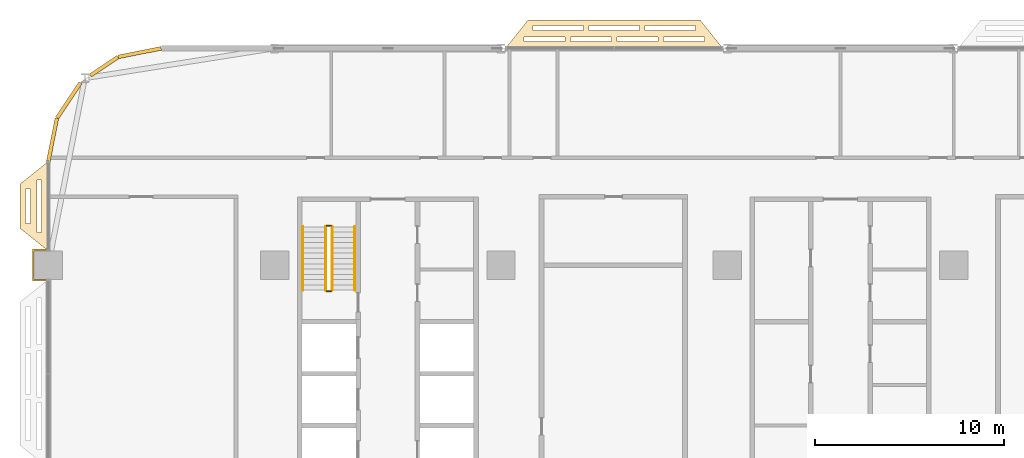
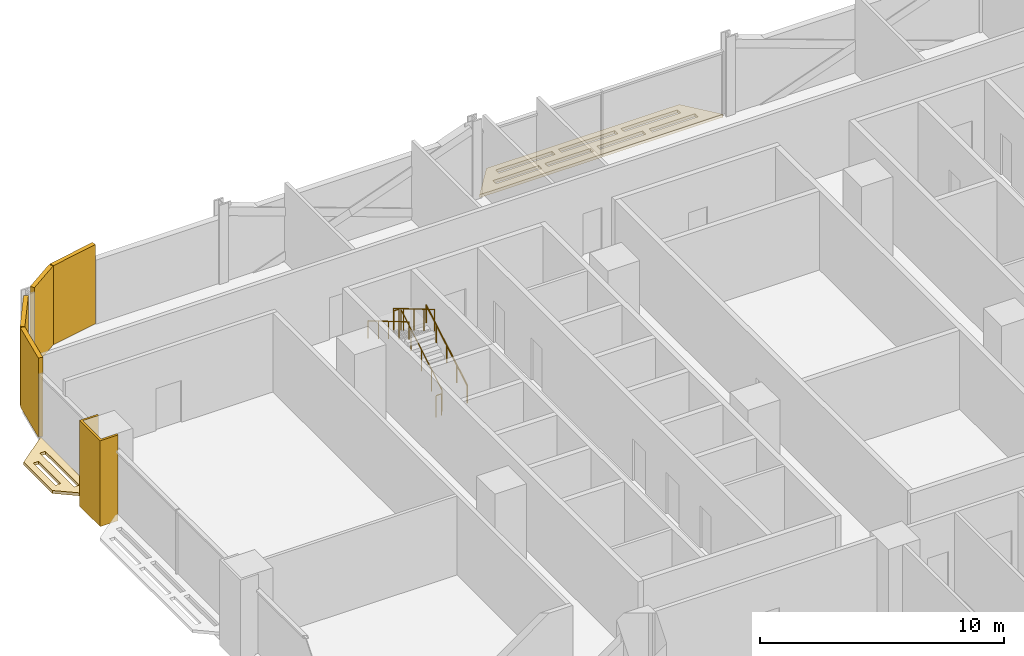
# One storey, part 26 of 29: 7 coverings, 6 railings.
"""IFC4 building model written with IfcOpenShell, lengths in metres."""

from ifc_helpers import new_model, si_unit, direction, frame, origin, origin_2d, place, context, subcontext, project, spatial, polyline, rectangle, circle, outline, extrude, material, layer, layer_set, type_object, element, save


model = new_model("IFC4")

# Units and contexts
model_context = context("Model", 3, precision=1e-05, world=origin(), true_north=direction((0.0, 1.0)))
body_context = subcontext(model_context, "Body", "Model", "MODEL_VIEW")
ifc_project = project(units=[si_unit("LENGTHUNIT", "METRE"), si_unit("AREAUNIT", "SQUARE_METRE"), si_unit("VOLUMEUNIT", "CUBIC_METRE"), si_unit("PLANEANGLEUNIT", "RADIAN"), si_unit("MASSUNIT", "GRAM", prefix="KILO")], contexts=[model_context])

# Site, building, storey
site_placement = place(None, origin())
site = spatial("IfcSite", under=ifc_project, at=site_placement, CompositionType="ELEMENT")
building_placement = place(site_placement, origin())
building = spatial("IfcBuilding", under=site, at=building_placement, Name="Mahtab Terrace Research Tower", CompositionType="ELEMENT")
storey_placement = place(building_placement, frame((0.0, 0.0, 67.5)))
storey = spatial("IfcBuildingStorey", under=building, at=storey_placement, Name="L15", CompositionType="ELEMENT", Elevation=67.5)

# Coverings
ifc_material_1 = material(Name="Black aluminium cladding panel", Category="aluminium")
ifc_layer_1 = layer(ifc_material_1, 0.199951171875)
ifc_layer_set_1 = layer_set([ifc_layer_1], Name="Black metal corner cladding 200")
covering_type_1 = type_object("IfcCoveringType", Name="Black metal corner cladding 200", PredefinedType="CLADDING", material=ifc_layer_set_1)
covering_1_placement = place(storey_placement, frame((-37.14794921875, 22.771484375, 0.0), z_axis=(0.0, 0.0, 1.0), x_axis=(-0.980760981187, -0.195212442692, 0.0)))
element("IfcCovering", 1, at=covering_1_placement, inside=storey, type_object=covering_type_1, Name="Corner cladding L15 11", PredefinedType="CLADDING", context=body_context, shape_type="SweptSolid", body=[
    extrude(rectangle(XDim=2.30126953125, YDim=0.199951171875, at=origin_2d()), origin(), (0.0, 0.0, 1.0), 3.9599609375),
])
covering_2_placement = place(storey_placement, frame((-39.0380859375, 22.047607421875, 0.0), z_axis=(0.0, 0.0, 1.0), x_axis=(-0.831655794326, -0.555291490808, 0.0)))
element("IfcCovering", 2, at=covering_2_placement, inside=storey, type_object=covering_type_1, Name="Corner cladding L15 12", PredefinedType="CLADDING", context=body_context, shape_type="SweptSolid", body=[
    extrude(rectangle(XDim=1.74462890625, YDim=0.199951171875, at=origin_2d()), origin(), (0.0, 0.0, 1.0), 3.9599609375),
])
covering_3_placement = place(storey_placement, frame((-40.911376953125, 20.2421875, 0.0), z_axis=(0.0, 0.0, 1.0), x_axis=(-0.555291490808, -0.831655794326, 0.0)))
element("IfcCovering", 3, at=covering_3_placement, inside=storey, type_object=covering_type_1, Name="Corner cladding L15 13", PredefinedType="CLADDING", context=body_context, shape_type="SweptSolid", body=[
    extrude(rectangle(XDim=2.235595703125, YDim=0.199951171875, at=origin_2d()), origin(), (0.0, 0.0, 1.0), 3.9599609375),
])
covering_4_placement = place(storey_placement, frame((-41.771484375, 18.14794921875, 0.0), z_axis=(0.0, 0.0, 1.0), x_axis=(-0.195212442692, -0.980760981187, 0.0)))
element("IfcCovering", 4, at=covering_4_placement, inside=storey, type_object=covering_type_1, Name="Corner cladding L15 14", PredefinedType="CLADDING", context=body_context, shape_type="SweptSolid", body=[
    extrude(rectangle(XDim=2.30126953125, YDim=0.199951171875, at=origin_2d()), origin(), (0.0, 0.0, 1.0), 3.9599609375),
])
ifc_material_2 = material(Name="Dark anodised aluminium cladding", Category="aluminium")
ifc_layer_2 = layer(ifc_material_2, 0.10009765625)
ifc_layer_set_2 = layer_set([ifc_layer_2], Name="Column casing 100")
covering_type_2 = type_object("IfcCoveringType", Name="Column casing 100", PredefinedType="CLADDING", material=ifc_layer_set_2)
covering_5_placement = place(storey_placement, frame((0.0, 0.0, -0.340087890625)))
element("IfcCovering", 5, at=covering_5_placement, inside=storey, type_object=covering_type_2, Name="Column casing RC-1C L15", PredefinedType="CLADDING", context=body_context, shape_type="SweptSolid", body=[
    extrude(outline(polyline([(-42.85009765625, 12.35009765625), (-42.0, 12.35009765625), (-42.0, 12.25), (-42.75, 12.25), (-42.75, 10.75), (-42.0, 10.75), (-42.0, 10.64990234375), (-42.85009765625, 10.64990234375), (-42.85009765625, 12.35009765625)])), origin(), (0.0, 0.0, 1.0), 4.300048828125),
])
ifc_material_3 = material(Name="Black anodised aluminium", Category="aluminium")
ifc_layer_3 = layer(ifc_material_3, 0.14990234375)
ifc_layer_set_3 = layer_set([ifc_layer_3], Name="Horizontal sunshade band")
covering_type_3 = type_object("IfcCoveringType", Name="Horizontal sunshade band", PredefinedType="CLADDING", material=ifc_layer_set_3)
covering_6_placement = place(storey_placement, frame((0.0, 0.0, -0.14990234375)))
element("IfcCovering", 6, at=covering_6_placement, inside=storey, type_object=covering_type_3, Name="Sunshade band L15 8", PredefinedType="CLADDING", context=body_context, shape_type="SweptSolid", body=[
    extrude(outline(polyline([(-6.238037109375, 23.0), (-17.761962890625, 23.0), (-16.56201171875, 24.5), (-7.43798828125, 24.5), (-6.238037109375, 23.0)]), holes=[polyline([(-7.218017578125, 23.35009765625), (-9.384033203125, 23.35009765625), (-9.384033203125, 23.60009765625), (-7.218017578125, 23.60009765625), (-7.218017578125, 23.35009765625)]), polyline([(-9.68408203125, 23.35009765625), (-11.85009765625, 23.35009765625), (-11.85009765625, 23.60009765625), (-9.68408203125, 23.60009765625), (-9.68408203125, 23.35009765625)]), polyline([(-12.14990234375, 23.35009765625), (-14.31591796875, 23.35009765625), (-14.31591796875, 23.60009765625), (-12.14990234375, 23.60009765625), (-12.14990234375, 23.35009765625)]), polyline([(-14.615966796875, 23.35009765625), (-16.781982421875, 23.35009765625), (-16.781982421875, 23.60009765625), (-14.615966796875, 23.60009765625), (-14.615966796875, 23.35009765625)]), polyline([(-7.697998046875, 23.949951171875), (-10.365966796875, 23.949951171875), (-10.365966796875, 24.199951171875), (-7.697998046875, 24.199951171875), (-7.697998046875, 23.949951171875)]), polyline([(-10.666015625, 23.949951171875), (-13.333984375, 23.949951171875), (-13.333984375, 24.199951171875), (-10.666015625, 24.199951171875), (-10.666015625, 23.949951171875)]), polyline([(-13.634033203125, 23.949951171875), (-16.302001953125, 23.949951171875), (-16.302001953125, 24.199951171875), (-13.634033203125, 24.199951171875), (-13.634033203125, 23.949951171875)])]), origin(), (0.0, 0.0, 1.0), 0.14990234375),
])
covering_7_placement = place(storey_placement, frame((0.0, 0.0, -0.14990234375)))
element("IfcCovering", 7, at=covering_7_placement, inside=storey, type_object=covering_type_3, Name="Sunshade band L15 15", PredefinedType="CLADDING", context=body_context, shape_type="SweptSolid", body=[
    extrude(outline(polyline([(-42.0, 17.0), (-42.0, 12.25), (-43.5, 13.449951171875), (-43.5, 15.800048828125), (-42.0, 17.0)]), holes=[polyline([(-42.35009765625, 16.02001953125), (-42.35009765625, 13.22998046875), (-42.60009765625, 13.22998046875), (-42.60009765625, 16.02001953125), (-42.35009765625, 16.02001953125)]), polyline([(-42.949951171875, 15.5400390625), (-42.949951171875, 13.7099609375), (-43.199951171875, 13.7099609375), (-43.199951171875, 15.5400390625), (-42.949951171875, 15.5400390625)])]), origin(), (0.0, 0.0, 1.0), 0.14990234375),
])

# Railings
ifc_material_4 = material(Name="Stainless steel AISI 304", Category="steel")
railing_type_1 = type_object("IfcRailingType", Name="Stair guard 1100", PredefinedType="GUARDRAIL", material=ifc_material_4)
railing_1_placement = place(storey_placement, frame((-26.949951171875, 10.175048828125, 0.165283203125)))
element("IfcRailing", 8, at=railing_1_placement, inside=storey, type_object=railing_type_1, Name="L15 ST1 stair guard 1", PredefinedType="GUARDRAIL", context=body_context, shape_type="SweptSolid", body=[
    extrude(circle(Radius=0.02392578125, at=origin_2d()), frame((0.0, 0.0, 1.076171875), z_axis=(0.0, 0.861011212953, 0.508585972249), x_axis=(-1.0, 0.0, 0.0)), (0.0, 0.0, 1.0), 3.90234375),
    extrude(circle(Radius=0.02099609375, at=origin_2d()), origin(), (0.0, 0.0, 1.0), 1.052001953125),
    extrude(circle(Radius=0.02099609375, at=origin_2d()), frame((0.0, 0.83984375, 0.49609375)), (0.0, 0.0, 1.0), 1.052001953125),
    extrude(circle(Radius=0.02099609375, at=origin_2d()), frame((0.0, 1.679931640625, 0.9921875)), (0.0, 0.0, 1.0), 1.052001953125),
    extrude(circle(Radius=0.02099609375, at=origin_2d()), frame((0.0, 2.52001953125, 1.488525390625)), (0.0, 0.0, 1.0), 1.052001953125),
    extrude(circle(Radius=0.02099609375, at=origin_2d()), frame((0.0, 3.35986328125, 1.984619140625)), (0.0, 0.0, 1.0), 1.052001953125),
])
railing_2_placement = place(storey_placement, frame((-27.0, 13.5849609375, 2.14990234375)))
element("IfcRailing", 9, at=railing_2_placement, inside=storey, type_object=railing_type_1, Name="L15 ST1 stair guard 2", PredefinedType="GUARDRAIL", context=body_context, shape_type="SweptSolid", body=[
    extrude(circle(Radius=0.02392578125, at=origin_2d()), frame((0.0, 0.0, 1.076171875), z_axis=(-1.0, 0.0, 0.0), x_axis=(0.0, -1.0, 0.0)), (0.0, 0.0, 1.0), 0.25),
    extrude(circle(Radius=0.02099609375, at=origin_2d()), origin(), (0.0, 0.0, 1.0), 1.052001953125),
    extrude(circle(Radius=0.02099609375, at=origin_2d()), frame((-0.25, 0.0, 0.0)), (0.0, 0.0, 1.0), 1.052001953125),
])
railing_3_placement = place(storey_placement, frame((-27.300048828125, 13.534912109375, 2.3154296875)))
element("IfcRailing", 10, at=railing_3_placement, inside=storey, type_object=railing_type_1, Name="L15 ST1 stair guard 3", PredefinedType="GUARDRAIL", context=body_context, shape_type="SweptSolid", body=[
    extrude(circle(Radius=0.02392578125, at=origin_2d()), frame((0.0, 0.0, 1.076171875), z_axis=(0.0, -0.861011212953, 0.508585972249), x_axis=(1.0, 0.0, 0.0)), (0.0, 0.0, 1.0), 3.90234375),
    extrude(circle(Radius=0.02099609375, at=origin_2d()), origin(), (0.0, 0.0, 1.0), 1.052001953125),
    extrude(circle(Radius=0.02099609375, at=origin_2d()), frame((0.0, -0.83984375, 0.49609375)), (0.0, 0.0, 1.0), 1.052001953125),
    extrude(circle(Radius=0.02099609375, at=origin_2d()), frame((0.0, -1.679931640625, 0.9921875)), (0.0, 0.0, 1.0), 1.052001953125),
    extrude(circle(Radius=0.02099609375, at=origin_2d()), frame((0.0, -2.52001953125, 1.488525390625)), (0.0, 0.0, 1.0), 1.052001953125),
    extrude(circle(Radius=0.02099609375, at=origin_2d()), frame((0.0, -3.35986328125, 1.984619140625)), (0.0, 0.0, 1.0), 1.052001953125),
])
railing_4_placement = place(storey_placement, frame((-27.0, 10.125, 0.0)))
element("IfcRailing", 11, at=railing_4_placement, inside=storey, type_object=railing_type_1, Name="L15 ST1 stair guard 4", PredefinedType="GUARDRAIL", context=body_context, shape_type="SweptSolid", body=[
    extrude(circle(Radius=0.02392578125, at=origin_2d()), frame((0.0, 0.0, 1.076171875), z_axis=(-1.0, 0.0, 0.0), x_axis=(0.0, -1.0, 0.0)), (0.0, 0.0, 1.0), 0.25),
    extrude(circle(Radius=0.02099609375, at=origin_2d()), origin(), (0.0, 0.0, 1.0), 1.052001953125),
    extrude(circle(Radius=0.02099609375, at=origin_2d()), frame((-0.25, 0.0, 0.0)), (0.0, 0.0, 1.0), 1.052001953125),
])
railing_type_2 = type_object("IfcRailingType", Name="Stair handrail 900", PredefinedType="HANDRAIL", material=ifc_material_4)
railing_5_placement = place(storey_placement, frame((-25.75, 10.175048828125, 0.165283203125)))
element("IfcRailing", 12, at=railing_5_placement, inside=storey, type_object=railing_type_2, Name="L15 ST1 stair handrail 1", PredefinedType="HANDRAIL", context=body_context, shape_type="SweptSolid", body=[
    extrude(circle(Radius=0.02392578125, at=origin_2d()), frame((0.0, 0.0, 0.8759765625), z_axis=(0.0, 0.861011212953, 0.508585972249), x_axis=(-1.0, 0.0, 0.0)), (0.0, 0.0, 1.0), 3.90234375),
    extrude(circle(Radius=0.02099609375, at=origin_2d()), origin(), (0.0, 0.0, 1.0), 0.851806640625),
    extrude(circle(Radius=0.02099609375, at=origin_2d()), frame((0.0, 0.83984375, 0.49609375)), (0.0, 0.0, 1.0), 0.851806640625),
    extrude(circle(Radius=0.02099609375, at=origin_2d()), frame((0.0, 1.679931640625, 0.9921875)), (0.0, 0.0, 1.0), 0.851806640625),
    extrude(circle(Radius=0.02099609375, at=origin_2d()), frame((0.0, 2.52001953125, 1.488525390625)), (0.0, 0.0, 1.0), 0.851806640625),
    extrude(circle(Radius=0.02099609375, at=origin_2d()), frame((0.0, 3.35986328125, 1.984619140625)), (0.0, 0.0, 1.0), 0.851806640625),
])
railing_6_placement = place(storey_placement, frame((-28.5, 13.534912109375, 2.3154296875)))
element("IfcRailing", 13, at=railing_6_placement, inside=storey, type_object=railing_type_2, Name="L15 ST1 stair handrail 2", PredefinedType="HANDRAIL", context=body_context, shape_type="SweptSolid", body=[
    extrude(circle(Radius=0.02392578125, at=origin_2d()), frame((0.0, 0.0, 0.8759765625), z_axis=(0.0, -0.861011212953, 0.508585972249), x_axis=(1.0, 0.0, 0.0)), (0.0, 0.0, 1.0), 3.90234375),
    extrude(circle(Radius=0.02099609375, at=origin_2d()), origin(), (0.0, 0.0, 1.0), 0.851806640625),
    extrude(circle(Radius=0.02099609375, at=origin_2d()), frame((0.0, -0.83984375, 0.49609375)), (0.0, 0.0, 1.0), 0.851806640625),
    extrude(circle(Radius=0.02099609375, at=origin_2d()), frame((0.0, -1.679931640625, 0.9921875)), (0.0, 0.0, 1.0), 0.851806640625),
    extrude(circle(Radius=0.02099609375, at=origin_2d()), frame((0.0, -2.52001953125, 1.488525390625)), (0.0, 0.0, 1.0), 0.851806640625),
    extrude(circle(Radius=0.02099609375, at=origin_2d()), frame((0.0, -3.35986328125, 1.984619140625)), (0.0, 0.0, 1.0), 0.851806640625),
])

save(model, "model.ifc")
